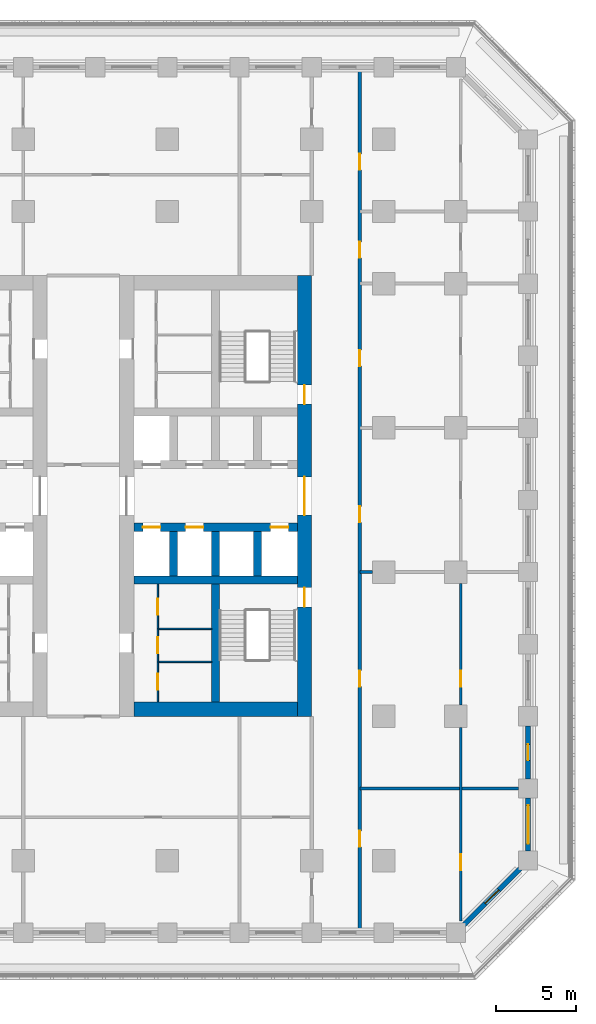
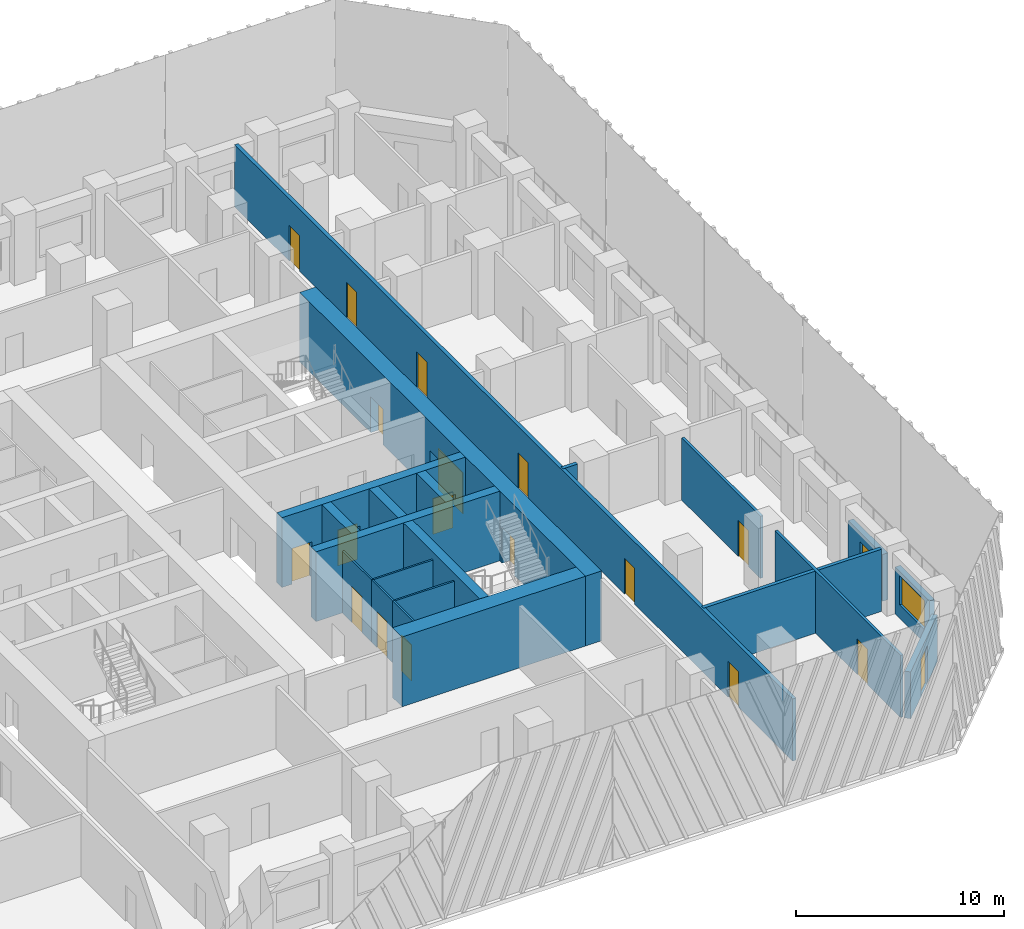
# One storey, part 5 of 19: 21 walls, 19 doors, 1 window, 20 openings.
"""IFC4 building model written with IfcOpenShell, lengths in metres."""

from ifc_helpers import new_model, si_unit, direction, frame, frame_2d, origin, place, context, subcontext, project, spatial, rectangle, extrude, material, layer, layer_set, type_object, element, fill, save


model = new_model("IFC4")

# Units and contexts
model_context = context("Model", 3, precision=1e-05, world=origin(), true_north=direction((0.0, 1.0)))
body_context = subcontext(model_context, "Body", "Model", "MODEL_VIEW")
ifc_project = project(units=[si_unit("LENGTHUNIT", "METRE"), si_unit("AREAUNIT", "SQUARE_METRE"), si_unit("VOLUMEUNIT", "CUBIC_METRE"), si_unit("PLANEANGLEUNIT", "RADIAN"), si_unit("MASSUNIT", "GRAM", prefix="KILO")], contexts=[model_context])

# Site, building, storey
site_placement = place(None, origin())
site = spatial("IfcSite", under=ifc_project, at=site_placement, CompositionType="ELEMENT")
building_placement = place(site_placement, origin())
building = spatial("IfcBuilding", under=site, at=building_placement, Name="Corbel Stack Research Tower", CompositionType="ELEMENT")
storey_placement = place(building_placement, frame((0.0, 0.0, 90.199951171875)))
storey = spatial("IfcBuildingStorey", under=building, at=storey_placement, Name="L20", CompositionType="ELEMENT", Elevation=90.199951171875)

# Wall
ifc_material_1 = material(Name="Concrete C70/85", Category="concrete")
ifc_layer_1 = layer(ifc_material_1, 0.5)
ifc_layer_set_1 = layer_set([ifc_layer_1], Name="Concrete C70/85")
wall_type_1 = type_object("IfcWallType", Name="CW-500-70", PredefinedType="SHEAR", material=ifc_layer_set_1)
wall_1_placement = place(storey_placement, frame((6.89990234375, -0.5, 0.0), z_axis=(0.0, 0.0, 1.0), x_axis=(1.0, 0.0, 0.0)))
element("IfcWall", 1, at=wall_1_placement, inside=storey, type_object=wall_type_1, Name="East core wall, south row back L20", PredefinedType="SHEAR", context=body_context, shape_type="SweptSolid", body=[
    extrude(rectangle(XDim=10.2001953125, YDim=0.5, at=frame_2d((5.10009765625, 0.0))), origin(), (0.0, 0.0, 1.0), 4.10009765625),
])

# Wall, openings, doors
wall_2_placement = place(storey_placement, frame((6.89990234375, 2.800048828125, 0.0), z_axis=(0.0, 0.0, 1.0), x_axis=(1.0, 0.0, 0.0)))
wall_2 = element("IfcWall", 2, at=wall_2_placement, inside=storey, type_object=wall_type_1, Name="East core wall, lobby south L20", PredefinedType="SHEAR", context=body_context, shape_type="SweptSolid", body=[
    extrude(rectangle(XDim=10.2001953125, YDim=0.5, at=frame_2d((5.10009765625, 0.0))), origin(), (0.0, 0.0, 1.0), 4.10009765625),
])
opening_1_placement = place(wall_2_placement, frame((0.5625, 0.0, 0.0)))
opening_1 = element("IfcOpeningElement", 3, at=opening_1_placement, cuts=wall_2, Name="Opening LD-FS2", PredefinedType="OPENING", context=body_context, shape_type="SweptSolid", body=[
    extrude(rectangle(XDim=1.10009765625, YDim=2.10009765625, at=frame_2d((0.550048828125, 1.050048828125))), frame((0.0, 0.260009765625, 0.0), z_axis=(0.0, -1.0, 0.0), x_axis=(1.0, 0.0, 0.0)), (0.0, 0.0, 1.0), 0.52001953125),
])
opening_2_placement = place(wall_2_placement, frame((3.237548828125, 0.0, 0.0)))
opening_2 = element("IfcOpeningElement", 4, at=opening_2_placement, cuts=wall_2, Name="Opening LD-GL2", PredefinedType="OPENING", context=body_context, shape_type="SweptSolid", body=[
    extrude(rectangle(XDim=1.10009765625, YDim=2.10009765625, at=frame_2d((0.550048828125, 1.050048828125))), frame((0.0, 0.260009765625, 0.0), z_axis=(0.0, -1.0, 0.0), x_axis=(1.0, 0.0, 0.0)), (0.0, 0.0, 1.0), 0.52001953125),
])
opening_3_placement = place(wall_2_placement, frame((8.53759765625, 0.0, 0.0)))
opening_3 = element("IfcOpeningElement", 5, at=opening_3_placement, cuts=wall_2, Name="Opening LD-LR3", PredefinedType="OPENING", context=body_context, shape_type="SweptSolid", body=[
    extrude(rectangle(XDim=1.10009765625, YDim=2.10009765625, at=frame_2d((0.550048828125, 1.050048828125))), frame((0.0, 0.260009765625, 0.0), z_axis=(0.0, -1.0, 0.0), x_axis=(1.0, 0.0, 0.0)), (0.0, 0.0, 1.0), 0.52001953125),
])
ifc_material_2 = material(Name="Stainless steel landing door", Category="steel")
door_type_1 = type_object("IfcDoorType", Name="Lift landing door 1100 x 2100", OperationType="DOUBLE_DOOR_SLIDING", PredefinedType="DOOR", material=ifc_material_2)
door_1_placement = place(opening_1_placement, origin())
door_1 = element("IfcDoor", 6, at=door_1_placement, inside=storey, type_object=door_type_1, Name="Landing door FS2", OperationType="DOUBLE_DOOR_SLIDING", OverallHeight=2.10009765625, OverallWidth=1.10009765625, PredefinedType="DOOR", context=body_context, shape_type="SweptSolid", body=[
    extrude(rectangle(XDim=1.10009765625, YDim=2.10009765625, at=frame_2d((0.550048828125, 1.050048828125))), frame((0.0, 0.02490234375, 0.0), z_axis=(0.0, -1.0, 0.0), x_axis=(1.0, 0.0, 0.0)), (0.0, 0.0, 1.0), 0.050048828125),
])
fill(opening_1, door_1)
door_2_placement = place(opening_2_placement, origin())
door_2 = element("IfcDoor", 7, at=door_2_placement, inside=storey, type_object=door_type_1, Name="Landing door GL2", OperationType="DOUBLE_DOOR_SLIDING", OverallHeight=2.10009765625, OverallWidth=1.10009765625, PredefinedType="DOOR", context=body_context, shape_type="SweptSolid", body=[
    extrude(rectangle(XDim=1.10009765625, YDim=2.10009765625, at=frame_2d((0.550048828125, 1.050048828125))), frame((0.0, 0.02490234375, 0.0), z_axis=(0.0, -1.0, 0.0), x_axis=(1.0, 0.0, 0.0)), (0.0, 0.0, 1.0), 0.050048828125),
])
fill(opening_2, door_2)
door_3_placement = place(opening_3_placement, origin())
door_3 = element("IfcDoor", 8, at=door_3_placement, inside=storey, type_object=door_type_1, Name="Landing door LR3", OperationType="DOUBLE_DOOR_SLIDING", OverallHeight=2.10009765625, OverallWidth=1.10009765625, PredefinedType="DOOR", context=body_context, shape_type="SweptSolid", body=[
    extrude(rectangle(XDim=1.10009765625, YDim=2.10009765625, at=frame_2d((0.550048828125, 1.050048828125))), frame((0.0, 0.02490234375, 0.0), z_axis=(0.0, -1.0, 0.0), x_axis=(1.0, 0.0, 0.0)), (0.0, 0.0, 1.0), 0.050048828125),
])
fill(opening_3, door_3)

# Walls
for number, where, z_axis, x_axis, name in (
    (9, (9.375, -0.25, 0.0), (0.0, 0.0, 1.0), (0.0, 1.0, 0.0), "East core wall, south shaft 1 L20"),
    (10, (12.0, -0.25, 0.0), (0.0, 0.0, 1.0), (0.0, 1.0, 0.0), "East core wall, south shaft 2 L20"),
    (11, (14.625, -0.25, 0.0), (0.0, 0.0, 1.0), (0.0, 1.0, 0.0), "East core wall, south shaft 3 L20"),
):
    element("IfcWall", number, at=place(storey_placement, frame(where, z_axis=z_axis, x_axis=x_axis)), inside=storey, type_object=wall_type_1, Name=name, PredefinedType="SHEAR", context=body_context, shape_type="SweptSolid", body=[
        extrude(rectangle(XDim=2.800048828125, YDim=0.5, at=frame_2d((1.39990234375, 0.0))), origin(), (0.0, 0.0, 1.0), 4.10009765625),
    ])
wall_3_placement = place(storey_placement, frame((12.0, -8.10009765625, 0.0), z_axis=(0.0, 0.0, 1.0), x_axis=(0.0, 1.0, 0.0)))
element("IfcWall", 12, at=wall_3_placement, inside=storey, type_object=wall_type_1, Name="East core wall, south stair and WC L20", PredefinedType="SHEAR", context=body_context, shape_type="SweptSolid", body=[
    extrude(rectangle(XDim=7.35009765625, YDim=0.5, at=frame_2d((3.675048828125, 0.0))), origin(), (0.0, 0.0, 1.0), 4.10009765625),
])

# Wall, openings, doors
ifc_material_3 = material(Name="Concrete C70/85", Category="concrete")
ifc_layer_2 = layer(ifc_material_3, 0.89990234375)
ifc_layer_set_2 = layer_set([ifc_layer_2], Name="Concrete C70/85")
wall_type_2 = type_object("IfcWallType", Name="CW-900-70", PredefinedType="SHEAR", material=ifc_layer_set_2)
wall_4_placement = place(storey_placement, frame((17.550048828125, -9.0, 0.0), z_axis=(0.0, 0.0, 1.0), x_axis=(0.0, 1.0, 0.0)))
wall_4 = element("IfcWall", 13, at=wall_4_placement, inside=storey, type_object=wall_type_2, Name="East core wall, east face L20", PredefinedType="SHEAR", context=body_context, shape_type="SweptSolid", body=[
    extrude(rectangle(XDim=27.5, YDim=0.89990234375, at=frame_2d((13.75, 0.0))), origin(), (0.0, 0.0, 1.0), 4.10009765625),
])
opening_4_placement = place(wall_4_placement, frame((12.550048828125, 0.0, 0.0)))
opening_4 = element("IfcOpeningElement", 14, at=opening_4_placement, cuts=wall_4, Name="Opening CD-E-E", PredefinedType="OPENING", context=body_context, shape_type="SweptSolid", body=[
    extrude(rectangle(XDim=2.39990234375, YDim=2.39990234375, at=frame_2d((1.199951171875, 1.199951171875))), frame((0.0, 0.4599609375, 0.0), z_axis=(0.0, -1.0, 0.0), x_axis=(1.0, 0.0, 0.0)), (0.0, 0.0, 1.0), 0.919921875),
])
opening_5_placement = place(wall_4_placement, frame((6.824951171875, 0.0, 0.0)))
opening_5 = element("IfcOpeningElement", 15, at=opening_5_placement, cuts=wall_4, Name="Opening SD-ST-E1", PredefinedType="OPENING", context=body_context, shape_type="SweptSolid", body=[
    extrude(rectangle(XDim=1.199951171875, YDim=2.10009765625, at=frame_2d((0.60009765625, 1.050048828125))), frame((0.0, 0.4599609375, 0.0), z_axis=(0.0, -1.0, 0.0), x_axis=(1.0, 0.0, 0.0)), (0.0, 0.0, 1.0), 0.919921875),
])
opening_6_placement = place(wall_4_placement, frame((19.47509765625, 0.0, 0.0)))
opening_6 = element("IfcOpeningElement", 16, at=opening_6_placement, cuts=wall_4, Name="Opening SD-ST-E2", PredefinedType="OPENING", context=body_context, shape_type="SweptSolid", body=[
    extrude(rectangle(XDim=1.199951171875, YDim=2.10009765625, at=frame_2d((0.60009765625, 1.050048828125))), frame((0.0, 0.4599609375, 0.0), z_axis=(0.0, -1.0, 0.0), x_axis=(1.0, 0.0, 0.0)), (0.0, 0.0, 1.0), 0.919921875),
])
ifc_material_4 = material(Name="Painted steel fire door", Category="steel")
door_type_2 = type_object("IfcDoorType", Name="Lobby door pair 2400 x 2400 FD30S", OperationType="DOUBLE_DOOR_DOUBLE_SWING", PredefinedType="DOOR", material=ifc_material_4)
door_4_placement = place(opening_4_placement, origin())
door_4 = element("IfcDoor", 17, at=door_4_placement, inside=storey, type_object=door_type_2, Name="Lift lobby door E core E", OperationType="DOUBLE_DOOR_DOUBLE_SWING", OverallHeight=2.39990234375, OverallWidth=2.39990234375, PredefinedType="DOOR", context=body_context, shape_type="SweptSolid", body=[
    extrude(rectangle(XDim=2.39990234375, YDim=2.39990234375, at=frame_2d((1.199951171875, 1.199951171875))), frame((0.0, 0.02490234375, 0.0), z_axis=(0.0, -1.0, 0.0), x_axis=(1.0, 0.0, 0.0)), (0.0, 0.0, 1.0), 0.050048828125),
])
fill(opening_4, door_4)
ifc_material_5 = material(Name="Painted steel fire door", Category="steel")
door_type_3 = type_object("IfcDoorType", Name="Stair door 1200 x 2100 FD90 right hand", OperationType="SINGLE_SWING_RIGHT", PredefinedType="DOOR", material=ifc_material_5)
door_5_placement = place(opening_5_placement, frame((1.199951171875, 0.0, 0.0), z_axis=(0.0, 0.0, 1.0), x_axis=(-1.0, 0.0, 0.0)))
door_5 = element("IfcDoor", 18, at=door_5_placement, inside=storey, type_object=door_type_3, Name="Stair door ST-E1", OperationType="SINGLE_SWING_LEFT", OverallHeight=2.10009765625, OverallWidth=1.199951171875, PredefinedType="DOOR", context=body_context, shape_type="SweptSolid", body=[
    extrude(rectangle(XDim=1.199951171875, YDim=2.10009765625, at=frame_2d((0.60009765625, 1.050048828125))), frame((0.0, 0.02490234375, 0.0), z_axis=(0.0, -1.0, 0.0), x_axis=(1.0, 0.0, 0.0)), (0.0, 0.0, 1.0), 0.050048828125),
])
fill(opening_5, door_5)
door_6_placement = place(opening_6_placement, frame((1.199951171875, 0.0, 0.0), z_axis=(0.0, 0.0, 1.0), x_axis=(-1.0, 0.0, 0.0)))
door_6 = element("IfcDoor", 19, at=door_6_placement, inside=storey, type_object=door_type_3, Name="Stair door ST-E2", OperationType="SINGLE_SWING_LEFT", OverallHeight=2.10009765625, OverallWidth=1.199951171875, PredefinedType="DOOR", context=body_context, shape_type="SweptSolid", body=[
    extrude(rectangle(XDim=1.199951171875, YDim=2.10009765625, at=frame_2d((0.60009765625, 1.050048828125))), frame((0.0, 0.02490234375, 0.0), z_axis=(0.0, -1.0, 0.0), x_axis=(1.0, 0.0, 0.0)), (0.0, 0.0, 1.0), 0.050048828125),
])
fill(opening_6, door_6)

# Wall
wall_5_placement = place(storey_placement, frame((6.89990234375, -8.550048828125, 0.0), z_axis=(0.0, 0.0, 1.0), x_axis=(1.0, 0.0, 0.0)))
element("IfcWall", 20, at=wall_5_placement, inside=storey, type_object=wall_type_2, Name="East core wall, south end L20", PredefinedType="SHEAR", context=body_context, shape_type="SweptSolid", body=[
    extrude(rectangle(XDim=10.2001953125, YDim=0.89990234375, at=frame_2d((5.10009765625, 0.0))), origin(), (0.0, 0.0, 1.0), 4.10009765625),
])

# Wall, opening, door
ifc_material_6 = material(Name="Gypsum board")
ifc_layer_3 = layer(ifc_material_6, 0.10009765625)
ifc_layer_set_3 = layer_set([ifc_layer_3], Name="Gypsum board")
wall_type_3 = type_object("IfcWallType", Name="Core partition 100", PredefinedType="PARTITIONING", material=ifc_layer_set_3)
wall_6_placement = place(storey_placement, frame((8.39990234375, -8.10009765625, 0.0), z_axis=(0.0, 0.0, 1.0), x_axis=(0.0, 1.0, 0.0)))
wall_6 = element("IfcWall", 21, at=wall_6_placement, inside=storey, type_object=wall_type_3, Name="Core partition E", PredefinedType="PARTITIONING", context=body_context, shape_type="SweptSolid", body=[
    extrude(rectangle(XDim=2.4990234375, YDim=0.10009765625, at=frame_2d((1.24951171875, 0.0))), origin(), (0.0, 0.0, 1.0), 3.650146484375),
])
opening_7_placement = place(wall_6_placement, frame((0.74951171875, 0.0, 0.0)))
opening_7 = element("IfcOpeningElement", 22, at=opening_7_placement, cuts=wall_6, Name="Opening CR-E12-W2-1000", PredefinedType="OPENING", context=body_context, shape_type="SweptSolid", body=[
    extrude(rectangle(XDim=1.0, YDim=2.10009765625, at=frame_2d((0.5, 1.050048828125))), frame((0.0, 0.06005859375, 0.0), z_axis=(0.0, -1.0, 0.0), x_axis=(1.0, 0.0, 0.0)), (0.0, 0.0, 1.0), 0.1201171875),
])
ifc_material_7 = material(Name="Painted timber door", Category="wood")
door_type_4 = type_object("IfcDoorType", Name="WC door 1000 x 2100 left hand", OperationType="SINGLE_SWING_LEFT", PredefinedType="DOOR", material=ifc_material_7)
door_7_placement = place(opening_7_placement, origin())
door_7 = element("IfcDoor", 23, at=door_7_placement, inside=storey, type_object=door_type_4, Name="Men's WC door E core", OperationType="SINGLE_SWING_LEFT", OverallHeight=2.10009765625, OverallWidth=1.0, PredefinedType="DOOR", context=body_context, shape_type="SweptSolid", body=[
    extrude(rectangle(XDim=1.0, YDim=2.10009765625, at=frame_2d((0.5, 1.050048828125))), frame((0.0, 0.02490234375, 0.0), z_axis=(0.0, -1.0, 0.0), x_axis=(1.0, 0.0, 0.0)), (0.0, 0.0, 1.0), 0.050048828125),
])
fill(opening_7, door_7)

wall_7_placement = place(storey_placement, frame((8.39990234375, -5.60107421875, 0.0), z_axis=(0.0, 0.0, 1.0), x_axis=(0.0, 1.0, 0.0)))
wall_7 = element("IfcWall", 24, at=wall_7_placement, inside=storey, type_object=wall_type_3, Name="Core partition E", PredefinedType="PARTITIONING", context=body_context, shape_type="SweptSolid", body=[
    extrude(rectangle(XDim=2.05810546875, YDim=0.10009765625, at=frame_2d((1.029052734375, 0.0))), origin(), (0.0, 0.0, 1.0), 3.650146484375),
])
opening_8_placement = place(wall_7_placement, frame((0.529052734375, 0.0, 0.0)))
opening_8 = element("IfcOpeningElement", 25, at=opening_8_placement, cuts=wall_7, Name="Opening CR-E12-W3-1000", PredefinedType="OPENING", context=body_context, shape_type="SweptSolid", body=[
    extrude(rectangle(XDim=1.0, YDim=2.10009765625, at=frame_2d((0.5, 1.050048828125))), frame((0.0, 0.06005859375, 0.0), z_axis=(0.0, -1.0, 0.0), x_axis=(1.0, 0.0, 0.0)), (0.0, 0.0, 1.0), 0.1201171875),
])
ifc_material_8 = material(Name="Painted timber door", Category="wood")
door_type_5 = type_object("IfcDoorType", Name="WC door 1000 x 2100 right hand", OperationType="SINGLE_SWING_RIGHT", PredefinedType="DOOR", material=ifc_material_8)
door_8_placement = place(opening_8_placement, origin())
door_8 = element("IfcDoor", 26, at=door_8_placement, inside=storey, type_object=door_type_5, Name="Accessible WC door E core", OperationType="SINGLE_SWING_RIGHT", OverallHeight=2.10009765625, OverallWidth=1.0, PredefinedType="DOOR", context=body_context, shape_type="SweptSolid", body=[
    extrude(rectangle(XDim=1.0, YDim=2.10009765625, at=frame_2d((0.5, 1.050048828125))), frame((0.0, 0.02490234375, 0.0), z_axis=(0.0, -1.0, 0.0), x_axis=(1.0, 0.0, 0.0)), (0.0, 0.0, 1.0), 0.050048828125),
])
fill(opening_8, door_8)

wall_8_placement = place(storey_placement, frame((8.39990234375, -3.54296875, 0.0), z_axis=(0.0, 0.0, 1.0), x_axis=(0.0, 1.0, 0.0)))
wall_8 = element("IfcWall", 27, at=wall_8_placement, inside=storey, type_object=wall_type_3, Name="Core partition E", PredefinedType="PARTITIONING", context=body_context, shape_type="SweptSolid", body=[
    extrude(rectangle(XDim=2.79296875, YDim=0.10009765625, at=frame_2d((1.396484375, 0.0))), origin(), (0.0, 0.0, 1.0), 3.650146484375),
])
opening_9_placement = place(wall_8_placement, frame((0.896484375, 0.0, 0.0)))
opening_9 = element("IfcOpeningElement", 28, at=opening_9_placement, cuts=wall_8, Name="Opening CR-E12-W4-1000", PredefinedType="OPENING", context=body_context, shape_type="SweptSolid", body=[
    extrude(rectangle(XDim=1.0, YDim=2.10009765625, at=frame_2d((0.5, 1.050048828125))), frame((0.0, 0.06005859375, 0.0), z_axis=(0.0, -1.0, 0.0), x_axis=(1.0, 0.0, 0.0)), (0.0, 0.0, 1.0), 0.1201171875),
])
door_9_placement = place(opening_9_placement, origin())
door_9 = element("IfcDoor", 29, at=door_9_placement, inside=storey, type_object=door_type_4, Name="Women's WC door E core", OperationType="SINGLE_SWING_LEFT", OverallHeight=2.10009765625, OverallWidth=1.0, PredefinedType="DOOR", context=body_context, shape_type="SweptSolid", body=[
    extrude(rectangle(XDim=1.0, YDim=2.10009765625, at=frame_2d((0.5, 1.050048828125))), frame((0.0, 0.02490234375, 0.0), z_axis=(0.0, -1.0, 0.0), x_axis=(1.0, 0.0, 0.0)), (0.0, 0.0, 1.0), 0.050048828125),
])
fill(opening_9, door_9)

# Walls
for number, where, z_axis, x_axis, name in (
    (30, (8.39990234375, -5.60107421875, 0.0), (0.0, 0.0, 1.0), (1.0, 0.0, 0.0), "Core partition E"),
    (31, (8.39990234375, -3.54296875, 0.0), (0.0, 0.0, 1.0), (1.0, 0.0, 0.0), "Core partition E"),
):
    element("IfcWall", number, at=place(storey_placement, frame(where, z_axis=z_axis, x_axis=x_axis)), inside=storey, type_object=wall_type_3, Name=name, PredefinedType="PARTITIONING", context=body_context, shape_type="SweptSolid", body=[
        extrude(rectangle(XDim=3.35009765625, YDim=0.10009765625, at=frame_2d((1.675048828125, 0.0))), origin(), (0.0, 0.0, 1.0), 3.650146484375),
    ])

# Wall, openings, doors
ifc_material_9 = material(Name="Fire-rated gypsum board partition on steel studs", Category="steel")
ifc_layer_4 = layer(ifc_material_9, 0.199951171875)
ifc_layer_set_4 = layer_set([ifc_layer_4], Name="Fire-rated gypsum board partition on steel studs")
wall_type_4 = type_object("IfcWallType", Name="Fire-rated partition 200 EI 60", PredefinedType="PARTITIONING", material=ifc_layer_set_4)
wall_9_placement = place(storey_placement, frame((21.0, 31.35009765625, 0.0), z_axis=(0.0, 0.0, 1.0), x_axis=(0.0, -1.0, 0.0)))
wall_9 = element("IfcWall", 32, at=wall_9_placement, inside=storey, type_object=wall_type_4, Name="Partition L20-016", PredefinedType="PARTITIONING", context=body_context, shape_type="SweptSolid", body=[
    extrude(rectangle(XDim=53.7001953125, YDim=0.199951171875, at=frame_2d((26.85009765625, 0.0))), origin(), (0.0, 0.0, 1.0), 3.650146484375),
])
opening_10_placement = place(wall_9_placement, frame((47.5, 0.0, 0.0)))
opening_10 = element("IfcOpeningElement", 33, at=opening_10_placement, cuts=wall_9, Name="Opening B3V1-017", PredefinedType="OPENING", context=body_context, shape_type="SweptSolid", body=[
    extrude(rectangle(XDim=1.0, YDim=2.10009765625, at=frame_2d((0.5, 1.050048828125))), frame((0.0, 0.10986328125, 0.0), z_axis=(0.0, -1.0, 0.0), x_axis=(1.0, 0.0, 0.0)), (0.0, 0.0, 1.0), 0.219970703125),
])
opening_11_placement = place(wall_9_placement, frame((37.5, 0.0, 0.0)))
opening_11 = element("IfcOpeningElement", 34, at=opening_11_placement, cuts=wall_9, Name="Opening B3V1-018", PredefinedType="OPENING", context=body_context, shape_type="SweptSolid", body=[
    extrude(rectangle(XDim=1.0, YDim=2.10009765625, at=frame_2d((0.5, 1.050048828125))), frame((0.0, 0.10986328125, 0.0), z_axis=(0.0, -1.0, 0.0), x_axis=(1.0, 0.0, 0.0)), (0.0, 0.0, 1.0), 0.219970703125),
])
opening_12_placement = place(wall_9_placement, frame((27.25, 0.0, 0.0)))
opening_12 = element("IfcOpeningElement", 35, at=opening_12_placement, cuts=wall_9, Name="Opening B3V1-019", PredefinedType="OPENING", context=body_context, shape_type="SweptSolid", body=[
    extrude(rectangle(XDim=1.0, YDim=2.10009765625, at=frame_2d((0.5, 1.050048828125))), frame((0.0, 0.10986328125, 0.0), z_axis=(0.0, -1.0, 0.0), x_axis=(1.0, 0.0, 0.0)), (0.0, 0.0, 1.0), 0.219970703125),
])
opening_13_placement = place(wall_9_placement, frame((17.5, 0.0, 0.0)))
opening_13 = element("IfcOpeningElement", 36, at=opening_13_placement, cuts=wall_9, Name="Opening B3V1-020", PredefinedType="OPENING", context=body_context, shape_type="SweptSolid", body=[
    extrude(rectangle(XDim=1.0, YDim=2.10009765625, at=frame_2d((0.5, 1.050048828125))), frame((0.0, 0.10986328125, 0.0), z_axis=(0.0, -1.0, 0.0), x_axis=(1.0, 0.0, 0.0)), (0.0, 0.0, 1.0), 0.219970703125),
])
opening_14_placement = place(wall_9_placement, frame((10.75, 0.0, 0.0)))
opening_14 = element("IfcOpeningElement", 37, at=opening_14_placement, cuts=wall_9, Name="Opening B3V1-021", PredefinedType="OPENING", context=body_context, shape_type="SweptSolid", body=[
    extrude(rectangle(XDim=1.0, YDim=2.10009765625, at=frame_2d((0.5, 1.050048828125))), frame((0.0, 0.10986328125, 0.0), z_axis=(0.0, -1.0, 0.0), x_axis=(1.0, 0.0, 0.0)), (0.0, 0.0, 1.0), 0.219970703125),
])
opening_15_placement = place(wall_9_placement, frame((5.25, 0.0, 0.0)))
opening_15 = element("IfcOpeningElement", 38, at=opening_15_placement, cuts=wall_9, Name="Opening B3V1-022", PredefinedType="OPENING", context=body_context, shape_type="SweptSolid", body=[
    extrude(rectangle(XDim=1.0, YDim=2.10009765625, at=frame_2d((0.5, 1.050048828125))), frame((0.0, 0.10986328125, 0.0), z_axis=(0.0, -1.0, 0.0), x_axis=(1.0, 0.0, 0.0)), (0.0, 0.0, 1.0), 0.219970703125),
])
ifc_material_10 = material(Name="Painted steel fire door", Category="steel")
door_type_6 = type_object("IfcDoorType", Name="Fire door FD30S 1000 x 2100", OperationType="NOTDEFINED", PredefinedType="DOOR", material=ifc_material_10)
door_10_placement = place(opening_10_placement, origin())
door_10 = element("IfcDoor", 39, at=door_10_placement, inside=storey, type_object=door_type_6, Name="Door B3V1-017", OperationType="SINGLE_SWING_RIGHT", OverallHeight=2.10009765625, OverallWidth=1.0, PredefinedType="DOOR", context=body_context, shape_type="SweptSolid", body=[
    extrude(rectangle(XDim=1.0, YDim=2.10009765625, at=frame_2d((0.5, 1.050048828125))), frame((0.0, 0.02490234375, 0.0), z_axis=(0.0, -1.0, 0.0), x_axis=(1.0, 0.0, 0.0)), (0.0, 0.0, 1.0), 0.050048828125),
])
fill(opening_10, door_10)
door_11_placement = place(opening_11_placement, origin())
door_11 = element("IfcDoor", 40, at=door_11_placement, inside=storey, type_object=door_type_6, Name="Door B3V1-018", OperationType="SINGLE_SWING_RIGHT", OverallHeight=2.10009765625, OverallWidth=1.0, PredefinedType="DOOR", context=body_context, shape_type="SweptSolid", body=[
    extrude(rectangle(XDim=1.0, YDim=2.10009765625, at=frame_2d((0.5, 1.050048828125))), frame((0.0, 0.02490234375, 0.0), z_axis=(0.0, -1.0, 0.0), x_axis=(1.0, 0.0, 0.0)), (0.0, 0.0, 1.0), 0.050048828125),
])
fill(opening_11, door_11)
door_12_placement = place(opening_12_placement, origin())
door_12 = element("IfcDoor", 41, at=door_12_placement, inside=storey, type_object=door_type_6, Name="Door B3V1-019", OperationType="SINGLE_SWING_RIGHT", OverallHeight=2.10009765625, OverallWidth=1.0, PredefinedType="DOOR", context=body_context, shape_type="SweptSolid", body=[
    extrude(rectangle(XDim=1.0, YDim=2.10009765625, at=frame_2d((0.5, 1.050048828125))), frame((0.0, 0.02490234375, 0.0), z_axis=(0.0, -1.0, 0.0), x_axis=(1.0, 0.0, 0.0)), (0.0, 0.0, 1.0), 0.050048828125),
])
fill(opening_12, door_12)
door_13_placement = place(opening_13_placement, origin())
door_13 = element("IfcDoor", 42, at=door_13_placement, inside=storey, type_object=door_type_6, Name="Door B3V1-020", OperationType="SINGLE_SWING_LEFT", OverallHeight=2.10009765625, OverallWidth=1.0, PredefinedType="DOOR", context=body_context, shape_type="SweptSolid", body=[
    extrude(rectangle(XDim=1.0, YDim=2.10009765625, at=frame_2d((0.5, 1.050048828125))), frame((0.0, 0.02490234375, 0.0), z_axis=(0.0, -1.0, 0.0), x_axis=(1.0, 0.0, 0.0)), (0.0, 0.0, 1.0), 0.050048828125),
])
fill(opening_13, door_13)
door_14_placement = place(opening_14_placement, origin())
door_14 = element("IfcDoor", 43, at=door_14_placement, inside=storey, type_object=door_type_6, Name="Door B3V1-021", OperationType="SINGLE_SWING_LEFT", OverallHeight=2.10009765625, OverallWidth=1.0, PredefinedType="DOOR", context=body_context, shape_type="SweptSolid", body=[
    extrude(rectangle(XDim=1.0, YDim=2.10009765625, at=frame_2d((0.5, 1.050048828125))), frame((0.0, 0.02490234375, 0.0), z_axis=(0.0, -1.0, 0.0), x_axis=(1.0, 0.0, 0.0)), (0.0, 0.0, 1.0), 0.050048828125),
])
fill(opening_14, door_14)
door_15_placement = place(opening_15_placement, origin())
door_15 = element("IfcDoor", 44, at=door_15_placement, inside=storey, type_object=door_type_6, Name="Door B3V1-022", OperationType="SINGLE_SWING_LEFT", OverallHeight=2.10009765625, OverallWidth=1.0, PredefinedType="DOOR", context=body_context, shape_type="SweptSolid", body=[
    extrude(rectangle(XDim=1.0, YDim=2.10009765625, at=frame_2d((0.5, 1.050048828125))), frame((0.0, 0.02490234375, 0.0), z_axis=(0.0, -1.0, 0.0), x_axis=(1.0, 0.0, 0.0)), (0.0, 0.0, 1.0), 0.050048828125),
])
fill(opening_15, door_15)

# Walls
wall_10_placement = place(storey_placement, frame((21.0, -13.5, 0.0), z_axis=(0.0, 0.0, 1.0), x_axis=(1.0, 0.0, 0.0)))
element("IfcWall", 45, at=wall_10_placement, inside=storey, type_object=wall_type_4, Name="Partition L20-025", PredefinedType="PARTITIONING", context=body_context, shape_type="SweptSolid", body=[
    extrude(rectangle(XDim=9.89990234375, YDim=0.199951171875, at=frame_2d((4.949951171875, 0.0))), origin(), (0.0, 0.0, 1.0), 3.650146484375),
])
wall_11_placement = place(storey_placement, frame((21.0, 0.0, 0.0), z_axis=(0.0, 0.0, 1.0), x_axis=(1.0, 0.0, 0.0)))
element("IfcWall", 46, at=wall_11_placement, inside=storey, type_object=wall_type_4, Name="Partition L20-029", PredefinedType="PARTITIONING", context=body_context, shape_type="SweptSolid", body=[
    extrude(rectangle(XDim=0.800048828125, YDim=0.199951171875, at=frame_2d((0.39990234375, 0.0))), origin(), (0.0, 0.0, 1.0), 3.650146484375),
])

# Wall, opening, door
ifc_material_11 = material(Name="Gypsum board partition on steel studs", Category="steel")
ifc_layer_5 = layer(ifc_material_11, 0.14990234375)
ifc_layer_set_5 = layer_set([ifc_layer_5], Name="Gypsum board partition on steel studs")
wall_type_5 = type_object("IfcWallType", Name="Partition 150", PredefinedType="PARTITIONING", material=ifc_layer_set_5)
wall_12_placement = place(storey_placement, frame((27.300048828125, -9.699951171875, 0.0), z_axis=(0.0, 0.0, 1.0), x_axis=(0.0, -1.0, 0.0)))
wall_12 = element("IfcWall", 47, at=wall_12_placement, inside=storey, type_object=wall_type_5, Name="Partition L20-017", PredefinedType="PARTITIONING", context=body_context, shape_type="SweptSolid", body=[
    extrude(rectangle(XDim=12.0771484375, YDim=0.14990234375, at=frame_2d((6.03857421875, 0.0))), origin(), (0.0, 0.0, 1.0), 3.650146484375),
])
opening_16_placement = place(wall_12_placement, frame((7.89990234375, 0.0, 0.0)))
opening_16 = element("IfcOpeningElement", 48, at=opening_16_placement, cuts=wall_12, Name="Opening B3V1-026", PredefinedType="OPENING", context=body_context, shape_type="SweptSolid", body=[
    extrude(rectangle(XDim=1.0, YDim=2.10009765625, at=frame_2d((0.5, 1.050048828125))), frame((0.0, 0.0849609375, 0.0), z_axis=(0.0, -1.0, 0.0), x_axis=(1.0, 0.0, 0.0)), (0.0, 0.0, 1.0), 0.169921875),
])
ifc_material_12 = material(Name="Painted timber door", Category="wood")
door_type_7 = type_object("IfcDoorType", Name="Single door 1000 x 2100", OperationType="NOTDEFINED", PredefinedType="DOOR", material=ifc_material_12)
door_16_placement = place(opening_16_placement, origin())
door_16 = element("IfcDoor", 49, at=door_16_placement, inside=storey, type_object=door_type_7, Name="Door B3V1-026", OperationType="SINGLE_SWING_RIGHT", OverallHeight=2.10009765625, OverallWidth=1.0, PredefinedType="DOOR", context=body_context, shape_type="SweptSolid", body=[
    extrude(rectangle(XDim=1.0, YDim=2.10009765625, at=frame_2d((0.5, 1.050048828125))), frame((0.0, 0.02490234375, 0.0), z_axis=(0.0, -1.0, 0.0), x_axis=(1.0, 0.0, 0.0)), (0.0, 0.0, 1.0), 0.050048828125),
])
fill(opening_16, door_16)

wall_13_placement = place(storey_placement, frame((27.300048828125, -0.699951171875, 0.0), z_axis=(0.0, 0.0, 1.0), x_axis=(0.0, -1.0, 0.0)))
wall_13 = element("IfcWall", 50, at=wall_13_placement, inside=storey, type_object=wall_type_5, Name="Partition L20-018", PredefinedType="PARTITIONING", context=body_context, shape_type="SweptSolid", body=[
    extrude(rectangle(XDim=7.60009765625, YDim=0.14990234375, at=frame_2d((3.800048828125, 0.0))), origin(), (0.0, 0.0, 1.0), 3.650146484375),
])
opening_17_placement = place(wall_13_placement, frame((5.449951171875, 0.0, 0.0)))
opening_17 = element("IfcOpeningElement", 51, at=opening_17_placement, cuts=wall_13, Name="Opening B3V1-027", PredefinedType="OPENING", context=body_context, shape_type="SweptSolid", body=[
    extrude(rectangle(XDim=1.0, YDim=2.10009765625, at=frame_2d((0.5, 1.050048828125))), frame((0.0, 0.0849609375, 0.0), z_axis=(0.0, -1.0, 0.0), x_axis=(1.0, 0.0, 0.0)), (0.0, 0.0, 1.0), 0.169921875),
])
door_17_placement = place(opening_17_placement, origin())
door_17 = element("IfcDoor", 52, at=door_17_placement, inside=storey, type_object=door_type_7, Name="Door B3V1-027", OperationType="SINGLE_SWING_RIGHT", OverallHeight=2.10009765625, OverallWidth=1.0, PredefinedType="DOOR", context=body_context, shape_type="SweptSolid", body=[
    extrude(rectangle(XDim=1.0, YDim=2.10009765625, at=frame_2d((0.5, 1.050048828125))), frame((0.0, 0.02490234375, 0.0), z_axis=(0.0, -1.0, 0.0), x_axis=(1.0, 0.0, 0.0)), (0.0, 0.0, 1.0), 0.050048828125),
])
fill(opening_17, door_17)

ifc_material_13 = material(Name="Concrete C45/55", Category="concrete")
ifc_layer_6 = layer(ifc_material_13, 0.300048828125)
ifc_layer_set_6 = layer_set([ifc_layer_6], Name="Concrete C45/55")
wall_type_6 = type_object("IfcWallType", Name="Terracotta-faced concrete wall 300", PredefinedType="SOLIDWALL", material=ifc_layer_set_6)
wall_14_placement = place(storey_placement, frame((31.006103515625, -18.493896484375, 0.0), z_axis=(0.0, 0.0, 1.0), x_axis=(-0.707106781187, -0.707106781187, 0.0)))
wall_14 = element("IfcWall", 53, at=wall_14_placement, inside=storey, type_object=wall_type_6, Name="Facade wall L20 SE01", PredefinedType="SOLIDWALL", context=body_context, shape_type="SweptSolid", body=[
    extrude(rectangle(XDim=4.967041015625, YDim=0.300048828125, at=frame_2d((2.4833984375, 0.0))), origin(), (0.0, 0.0, 1.0), 2.75),
])
opening_18_placement = place(wall_14_placement, frame((1.883544921875, 0.0, 0.0)))
opening_18 = element("IfcOpeningElement", 54, at=opening_18_placement, cuts=wall_14, Name="Opening L20-B03", PredefinedType="OPENING", context=body_context, shape_type="SweptSolid", body=[
    extrude(rectangle(XDim=1.199951171875, YDim=2.199951171875, at=frame_2d((0.60009765625, 1.10009765625))), frame((0.0, 0.159912109375, 0.0), z_axis=(0.0, -1.0, 0.0), x_axis=(1.0, 0.0, 0.0)), (0.0, 0.0, 1.0), 0.320068359375),
])
ifc_material_14 = material(Name="Aluminium frame, clear double glazing", Category="aluminium")
door_type_8 = type_object("IfcDoorType", Name="Balcony door BD2 1200 x 2200", OperationType="NOTDEFINED", PredefinedType="DOOR", material=ifc_material_14)
door_18_placement = place(opening_18_placement, origin())
door_18 = element("IfcDoor", 55, at=door_18_placement, inside=storey, type_object=door_type_8, Name="Balcony door L20-B03", OperationType="SINGLE_SWING_LEFT", OverallHeight=2.199951171875, OverallWidth=1.199951171875, PredefinedType="DOOR", context=body_context, shape_type="SweptSolid", body=[
    extrude(rectangle(XDim=1.199951171875, YDim=2.199951171875, at=frame_2d((0.60009765625, 1.10009765625))), frame((0.0, 0.02490234375, 0.0), z_axis=(0.0, -1.0, 0.0), x_axis=(1.0, 0.0, 0.0)), (0.0, 0.0, 1.0), 0.050048828125),
])
fill(opening_18, door_18)

# Wall, opening, window
wall_15_placement = place(storey_placement, frame((31.5, -14.10009765625, 0.0), z_axis=(0.0, 0.0, 1.0), x_axis=(0.0, -1.0, 0.0)))
wall_15 = element("IfcWall", 56, at=wall_15_placement, inside=storey, type_object=wall_type_6, Name="Facade wall L20 E01", PredefinedType="SOLIDWALL", context=body_context, shape_type="SweptSolid", body=[
    extrude(rectangle(XDim=3.2998046875, YDim=0.300048828125, at=frame_2d((1.64990234375, 0.0))), origin(), (0.0, 0.0, 1.0), 2.75),
])
opening_19_placement = place(wall_15_placement, frame((0.449951171875, 0.0, 0.800048828125)))
opening_19 = element("IfcOpeningElement", 57, at=opening_19_placement, cuts=wall_15, Name="Opening W1", PredefinedType="OPENING", context=body_context, shape_type="SweptSolid", body=[
    extrude(rectangle(XDim=2.39990234375, YDim=1.699951171875, at=frame_2d((1.199951171875, 0.85009765625))), frame((0.0, 0.159912109375, 0.0), z_axis=(0.0, -1.0, 0.0), x_axis=(1.0, 0.0, 0.0)), (0.0, 0.0, 1.0), 0.320068359375),
])
ifc_material_15 = material(Name="Aluminium frame, clear double glazing", Category="aluminium")
window_type = type_object("IfcWindowType", Name="Window W1 2400 x 1700", PartitioningType="SINGLE_PANEL", PredefinedType="WINDOW", material=ifc_material_15)
window_placement = place(opening_19_placement, origin())
window = element("IfcWindow", 58, at=window_placement, inside=storey, type_object=window_type, Name="Window W1 L20 E01", OverallHeight=1.699951171875, OverallWidth=2.39990234375, PartitioningType="SINGLE_PANEL", PredefinedType="WINDOW", context=body_context, shape_type="SweptSolid", body=[
    extrude(rectangle(XDim=2.39990234375, YDim=1.699951171875, at=frame_2d((1.199951171875, 0.85009765625))), frame((0.0, 0.030029296875, 0.0), z_axis=(0.0, -1.0, 0.0), x_axis=(1.0, 0.0, 0.0)), (0.0, 0.0, 1.0), 0.06005859375),
])
fill(opening_19, window)

# Wall, opening, door
wall_16_placement = place(storey_placement, frame((31.5, -9.60009765625, 0.0), z_axis=(0.0, 0.0, 1.0), x_axis=(0.0, -1.0, 0.0)))
wall_16 = element("IfcWall", 59, at=wall_16_placement, inside=storey, type_object=wall_type_6, Name="Facade wall L20 E02", PredefinedType="SOLIDWALL", context=body_context, shape_type="SweptSolid", body=[
    extrude(rectangle(XDim=3.2998046875, YDim=0.300048828125, at=frame_2d((1.64990234375, 0.0))), origin(), (0.0, 0.0, 1.0), 2.75),
])
opening_20_placement = place(wall_16_placement, frame((1.14990234375, 0.0, 0.0)))
opening_20 = element("IfcOpeningElement", 60, at=opening_20_placement, cuts=wall_16, Name="Opening L20-B04", PredefinedType="OPENING", context=body_context, shape_type="SweptSolid", body=[
    extrude(rectangle(XDim=1.0, YDim=2.199951171875, at=frame_2d((0.5, 1.10009765625))), frame((0.0, 0.159912109375, 0.0), z_axis=(0.0, -1.0, 0.0), x_axis=(1.0, 0.0, 0.0)), (0.0, 0.0, 1.0), 0.320068359375),
])
ifc_material_16 = material(Name="Aluminium frame, clear double glazing", Category="aluminium")
door_type_9 = type_object("IfcDoorType", Name="Balcony door BD1 1000 x 2200", OperationType="NOTDEFINED", PredefinedType="DOOR", material=ifc_material_16)
door_19_placement = place(opening_20_placement, origin())
door_19 = element("IfcDoor", 61, at=door_19_placement, inside=storey, type_object=door_type_9, Name="Balcony door L20-B04", OperationType="SINGLE_SWING_RIGHT", OverallHeight=2.199951171875, OverallWidth=1.0, PredefinedType="DOOR", context=body_context, shape_type="SweptSolid", body=[
    extrude(rectangle(XDim=1.0, YDim=2.199951171875, at=frame_2d((0.5, 1.10009765625))), frame((0.0, 0.02490234375, 0.0), z_axis=(0.0, -1.0, 0.0), x_axis=(1.0, 0.0, 0.0)), (0.0, 0.0, 1.0), 0.050048828125),
])
fill(opening_20, door_19)

save(model, "model.ifc")
